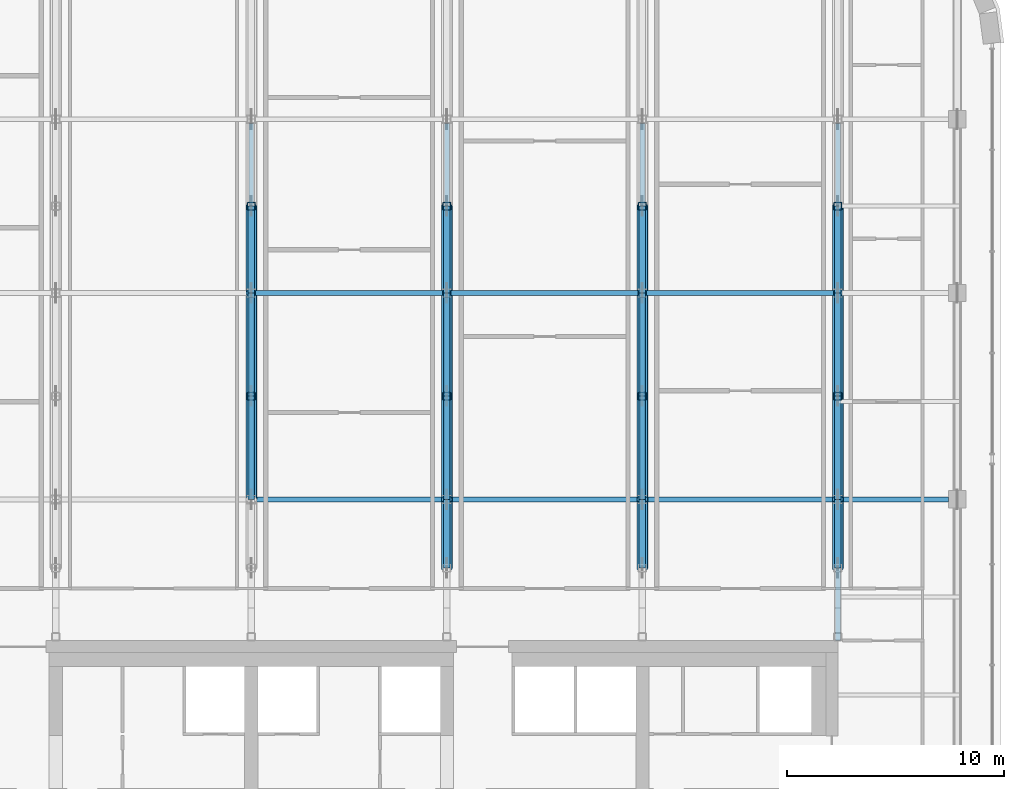
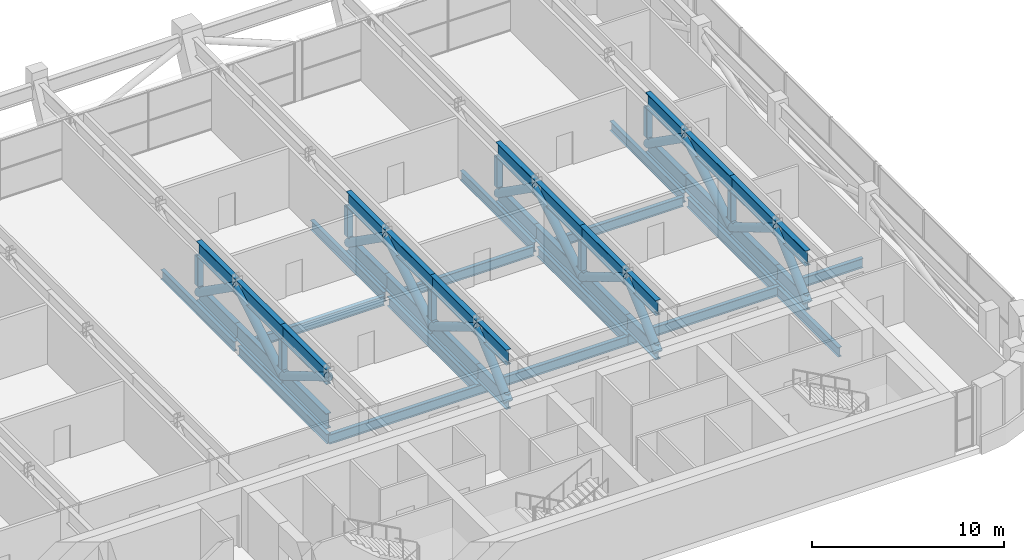
# One storey, part 8 of 28: 53 members, 13 beams.
"""IFC4 building model written with IfcOpenShell, lengths in metres."""

from ifc_helpers import new_model, si_unit, direction, frame, origin, origin_2d, place, context, subcontext, project, spatial, hollow_rectangle, hollow_circle, i_section, extrude, material, material_profile, profile_set, type_object, element, save


model = new_model("IFC4")

# Units and contexts
model_context = context("Model", 3, precision=1e-05, world=origin(), true_north=direction((0.0, 1.0)))
body_context = subcontext(model_context, "Body", "Model", "MODEL_VIEW")
ifc_project = project(units=[si_unit("LENGTHUNIT", "METRE"), si_unit("AREAUNIT", "SQUARE_METRE"), si_unit("VOLUMEUNIT", "CUBIC_METRE"), si_unit("PLANEANGLEUNIT", "RADIAN"), si_unit("MASSUNIT", "GRAM", prefix="KILO")], contexts=[model_context])

# Site, building, storey
site_placement = place(None, origin())
site = spatial("IfcSite", under=ifc_project, at=site_placement, CompositionType="ELEMENT")
building_placement = place(site_placement, origin())
building = spatial("IfcBuilding", under=site, at=building_placement, Name="Zellij Exchange Tower", CompositionType="ELEMENT")
storey_placement = place(building_placement, frame((0.0, 0.0, 268.5)))
storey = spatial("IfcBuildingStorey", under=building, at=storey_placement, Name="L63", CompositionType="ELEMENT", Elevation=268.5)

# Beams
ifc_material_1 = material(Name="Structural steel ASTM A992 Gr 50", Category="steel")
ifc_material_profile_1 = material_profile(ifc_material_1, i_section(OverallWidth=0.228271484375, OverallDepth=0.607177734375, WebThickness=0.01123046875, FlangeThickness=0.017333984375, at=origin_2d()), Name="W24x76")
ifc_profile_set_1 = profile_set([ifc_material_profile_1], Name="Structural steel ASTM A992 Gr 50")
beam_type = type_object("IfcBeamType", Name="STR-GIRDER W24x76", PredefinedType="BEAM", material=ifc_profile_set_1)
beam_1_placement = place(storey_placement, frame((0.0, 4.5, -0.653564453125), z_axis=(1.0, 0.0, 0.0), x_axis=(0.0, 1.0, 0.0)))
element("IfcBeam", 1, at=beam_1_placement, inside=storey, type_object=beam_type, Name="G2", PredefinedType="BEAM", context=body_context, shape_type="SweptSolid", body=[
    extrude(i_section(OverallWidth=0.228271484375, OverallDepth=0.607177734375, WebThickness=0.01123046875, FlangeThickness=0.017333984375, at=origin_2d()), origin(), (0.0, 0.0, 1.0), 18.0),
])
beam_2_placement = place(storey_placement, frame((18.0, 4.5, -0.653564453125), z_axis=(1.0, 0.0, 0.0), x_axis=(0.0, 1.0, 0.0)))
element("IfcBeam", 2, at=beam_2_placement, inside=storey, type_object=beam_type, Name="G2", PredefinedType="BEAM", context=body_context, shape_type="SweptSolid", body=[
    extrude(i_section(OverallWidth=0.228271484375, OverallDepth=0.607177734375, WebThickness=0.01123046875, FlangeThickness=0.017333984375, at=origin_2d()), origin(), (0.0, 0.0, 1.0), 14.10009765625),
])
for number, where, z_axis, x_axis, name in (
    (3, (0.199462890625, 14.0, -0.653564453125), (1.0, 0.0, 0.0), (0.0, 1.0, 0.0), "G2"),
    (4, (9.199462890625, 14.0, -0.653564453125), (1.0, 0.0, 0.0), (0.0, 1.0, 0.0), "G2"),
    (5, (18.199462890625, 14.0, -0.653564453125), (1.0, 0.0, 0.0), (0.0, 1.0, 0.0), "G2"),
):
    element("IfcBeam", number, at=place(storey_placement, frame(where, z_axis=z_axis, x_axis=x_axis)), inside=storey, type_object=beam_type, Name=name, PredefinedType="BEAM", context=body_context, shape_type="SweptSolid", body=[
        extrude(i_section(OverallWidth=0.228271484375, OverallDepth=0.607177734375, WebThickness=0.01123046875, FlangeThickness=0.017333984375, at=origin_2d()), origin(), (0.0, 0.0, 1.0), 8.60107421875),
    ])
beam_3_placement = place(storey_placement, frame((0.0, 4.5, -0.653564453125), z_axis=(0.0, 1.0, 0.0), x_axis=(-1.0, 0.0, 0.0)))
element("IfcBeam", 6, at=beam_3_placement, inside=storey, type_object=beam_type, Name="G2", PredefinedType="BEAM", context=body_context, shape_type="SweptSolid", body=[
    extrude(i_section(OverallWidth=0.228271484375, OverallDepth=0.607177734375, WebThickness=0.01123046875, FlangeThickness=0.017333984375, at=origin_2d()), origin(), (0.0, 0.0, 1.0), 9.306884765625),
])
beam_4_placement = place(storey_placement, frame((0.0, 14.193115234375, -0.653564453125), z_axis=(0.0, 1.0, 0.0), x_axis=(-1.0, 0.0, 0.0)))
element("IfcBeam", 7, at=beam_4_placement, inside=storey, type_object=beam_type, Name="G2", PredefinedType="BEAM", context=body_context, shape_type="SweptSolid", body=[
    extrude(i_section(OverallWidth=0.228271484375, OverallDepth=0.607177734375, WebThickness=0.01123046875, FlangeThickness=0.017333984375, at=origin_2d()), origin(), (0.0, 0.0, 1.0), 7.61376953125),
])
beam_5_placement = place(storey_placement, frame((9.0, 4.5, -0.653564453125), z_axis=(0.0, 1.0, 0.0), x_axis=(-1.0, 0.0, 0.0)))
element("IfcBeam", 8, at=beam_5_placement, inside=storey, type_object=beam_type, Name="G2", PredefinedType="BEAM", context=body_context, shape_type="SweptSolid", body=[
    extrude(i_section(OverallWidth=0.228271484375, OverallDepth=0.607177734375, WebThickness=0.01123046875, FlangeThickness=0.017333984375, at=origin_2d()), origin(), (0.0, 0.0, 1.0), 9.306884765625),
])
beam_6_placement = place(storey_placement, frame((9.0, 14.193115234375, -0.653564453125), z_axis=(0.0, 1.0, 0.0), x_axis=(-1.0, 0.0, 0.0)))
element("IfcBeam", 9, at=beam_6_placement, inside=storey, type_object=beam_type, Name="G2", PredefinedType="BEAM", context=body_context, shape_type="SweptSolid", body=[
    extrude(i_section(OverallWidth=0.228271484375, OverallDepth=0.607177734375, WebThickness=0.01123046875, FlangeThickness=0.017333984375, at=origin_2d()), origin(), (0.0, 0.0, 1.0), 7.61376953125),
])
beam_7_placement = place(storey_placement, frame((18.0, 4.5, -0.653564453125), z_axis=(0.0, 1.0, 0.0), x_axis=(-1.0, 0.0, 0.0)))
element("IfcBeam", 10, at=beam_7_placement, inside=storey, type_object=beam_type, Name="G2", PredefinedType="BEAM", context=body_context, shape_type="SweptSolid", body=[
    extrude(i_section(OverallWidth=0.228271484375, OverallDepth=0.607177734375, WebThickness=0.01123046875, FlangeThickness=0.017333984375, at=origin_2d()), origin(), (0.0, 0.0, 1.0), 9.306884765625),
])
beam_8_placement = place(storey_placement, frame((18.0, 14.193115234375, -0.653564453125), z_axis=(0.0, 1.0, 0.0), x_axis=(-1.0, 0.0, 0.0)))
element("IfcBeam", 11, at=beam_8_placement, inside=storey, type_object=beam_type, Name="G2", PredefinedType="BEAM", context=body_context, shape_type="SweptSolid", body=[
    extrude(i_section(OverallWidth=0.228271484375, OverallDepth=0.607177734375, WebThickness=0.01123046875, FlangeThickness=0.017333984375, at=origin_2d()), origin(), (0.0, 0.0, 1.0), 7.61376953125),
])
beam_9_placement = place(storey_placement, frame((27.0, -2.0, -0.653564453125), z_axis=(0.0, 1.0, 0.0), x_axis=(-1.0, 0.0, 0.0)))
element("IfcBeam", 12, at=beam_9_placement, inside=storey, type_object=beam_type, Name="G2", PredefinedType="BEAM", context=body_context, shape_type="SweptSolid", body=[
    extrude(i_section(OverallWidth=0.228271484375, OverallDepth=0.607177734375, WebThickness=0.01123046875, FlangeThickness=0.017333984375, at=origin_2d()), origin(), (0.0, 0.0, 1.0), 15.806884765625),
])
beam_10_placement = place(storey_placement, frame((27.0, 14.193115234375, -0.653564453125), z_axis=(0.0, 1.0, 0.0), x_axis=(-1.0, 0.0, 0.0)))
element("IfcBeam", 13, at=beam_10_placement, inside=storey, type_object=beam_type, Name="G2", PredefinedType="BEAM", context=body_context, shape_type="SweptSolid", body=[
    extrude(i_section(OverallWidth=0.228271484375, OverallDepth=0.607177734375, WebThickness=0.01123046875, FlangeThickness=0.017333984375, at=origin_2d()), origin(), (0.0, 0.0, 1.0), 7.61376953125),
])

# Members
ifc_material_2 = material(Name="Structural steel ASTM A913 Gr 65", Category="steel")
ifc_material_profile_2 = material_profile(ifc_material_2, i_section(OverallWidth=0.2998046875, OverallDepth=0.965087890625, WebThickness=0.01904296875, FlangeThickness=0.0361328125, at=origin_2d()), Name="W40x249")
ifc_profile_set_2 = profile_set([ifc_material_profile_2], Name="Structural steel ASTM A913 Gr 65")
member_type_1 = type_object("IfcMemberType", Name="STR-OUTRIGGER TRUSS CHORD W40x249", PredefinedType="CHORD", material=ifc_profile_set_2)
for number, where, z_axis, x_axis, name in (
    (14, (0.0, 4.5, 3.29736328125), (0.0, 1.0, 0.0), (-1.0, 0.0, 0.0), "OT1"),
    (15, (0.0, 4.5, 0.482666015625), (0.0, 1.0, 0.0), (-1.0, 0.0, 0.0), "OT1"),
    (16, (0.0, 9.25, 3.29736328125), (0.0, 1.0, 0.0), (-1.0, 0.0, 0.0), "OT1"),
    (17, (0.0, 9.25, 0.482666015625), (0.0, 1.0, 0.0), (-1.0, 0.0, 0.0), "OT1"),
):
    element("IfcMember", number, at=place(storey_placement, frame(where, z_axis=z_axis, x_axis=x_axis)), inside=storey, type_object=member_type_1, Name=name, PredefinedType="CHORD", context=body_context, shape_type="SweptSolid", body=[
        extrude(i_section(OverallWidth=0.2998046875, OverallDepth=0.965087890625, WebThickness=0.01904296875, FlangeThickness=0.0361328125, at=origin_2d()), origin(), (0.0, 0.0, 1.0), 4.75),
    ])
for number, where, z_axis, x_axis, name in (
    (18, (0.0, 14.0, 3.29736328125), (0.0, 1.0, 0.0), (-1.0, 0.0, 0.0), "OT1"),
    (19, (0.0, 14.0, 0.482666015625), (0.0, 1.0, 0.0), (-1.0, 0.0, 0.0), "OT1"),
):
    element("IfcMember", number, at=place(storey_placement, frame(where, z_axis=z_axis, x_axis=x_axis)), inside=storey, type_object=member_type_1, Name=name, PredefinedType="CHORD", context=body_context, shape_type="SweptSolid", body=[
        extrude(i_section(OverallWidth=0.2998046875, OverallDepth=0.965087890625, WebThickness=0.01904296875, FlangeThickness=0.0361328125, at=origin_2d()), origin(), (0.0, 0.0, 1.0), 4.0),
    ])
for number, where, z_axis, x_axis, name in (
    (20, (9.0, 1.339111328125, 3.29736328125), (0.0, 1.0, 0.0), (-1.0, 0.0, 0.0), "OT1"),
    (21, (9.0, 1.339111328125, 0.482666015625), (0.0, 1.0, 0.0), (-1.0, 0.0, 0.0), "OT1"),
):
    element("IfcMember", number, at=place(storey_placement, frame(where, z_axis=z_axis, x_axis=x_axis)), inside=storey, type_object=member_type_1, Name=name, PredefinedType="CHORD", context=body_context, shape_type="SweptSolid", body=[
        extrude(i_section(OverallWidth=0.2998046875, OverallDepth=0.965087890625, WebThickness=0.01904296875, FlangeThickness=0.0361328125, at=origin_2d()), origin(), (0.0, 0.0, 1.0), 3.160888671875),
    ])
for number, where, z_axis, x_axis, name in (
    (22, (9.0, 4.5, 3.29736328125), (0.0, 1.0, 0.0), (-1.0, 0.0, 0.0), "OT1"),
    (23, (9.0, 4.5, 0.482666015625), (0.0, 1.0, 0.0), (-1.0, 0.0, 0.0), "OT1"),
    (24, (9.0, 9.25, 3.29736328125), (0.0, 1.0, 0.0), (-1.0, 0.0, 0.0), "OT1"),
    (25, (9.0, 9.25, 0.482666015625), (0.0, 1.0, 0.0), (-1.0, 0.0, 0.0), "OT1"),
):
    element("IfcMember", number, at=place(storey_placement, frame(where, z_axis=z_axis, x_axis=x_axis)), inside=storey, type_object=member_type_1, Name=name, PredefinedType="CHORD", context=body_context, shape_type="SweptSolid", body=[
        extrude(i_section(OverallWidth=0.2998046875, OverallDepth=0.965087890625, WebThickness=0.01904296875, FlangeThickness=0.0361328125, at=origin_2d()), origin(), (0.0, 0.0, 1.0), 4.75),
    ])
for number, where, z_axis, x_axis, name in (
    (26, (9.0, 14.0, 3.29736328125), (0.0, 1.0, 0.0), (-1.0, 0.0, 0.0), "OT1"),
    (27, (9.0, 14.0, 0.482666015625), (0.0, 1.0, 0.0), (-1.0, 0.0, 0.0), "OT1"),
):
    element("IfcMember", number, at=place(storey_placement, frame(where, z_axis=z_axis, x_axis=x_axis)), inside=storey, type_object=member_type_1, Name=name, PredefinedType="CHORD", context=body_context, shape_type="SweptSolid", body=[
        extrude(i_section(OverallWidth=0.2998046875, OverallDepth=0.965087890625, WebThickness=0.01904296875, FlangeThickness=0.0361328125, at=origin_2d()), origin(), (0.0, 0.0, 1.0), 4.0),
    ])
for number, where, z_axis, x_axis, name in (
    (28, (18.0, 1.339111328125, 3.29736328125), (0.0, 1.0, 0.0), (-1.0, 0.0, 0.0), "OT1"),
    (29, (18.0, 1.339111328125, 0.482666015625), (0.0, 1.0, 0.0), (-1.0, 0.0, 0.0), "OT1"),
):
    element("IfcMember", number, at=place(storey_placement, frame(where, z_axis=z_axis, x_axis=x_axis)), inside=storey, type_object=member_type_1, Name=name, PredefinedType="CHORD", context=body_context, shape_type="SweptSolid", body=[
        extrude(i_section(OverallWidth=0.2998046875, OverallDepth=0.965087890625, WebThickness=0.01904296875, FlangeThickness=0.0361328125, at=origin_2d()), origin(), (0.0, 0.0, 1.0), 3.160888671875),
    ])
for number, where, z_axis, x_axis, name in (
    (30, (18.0, 4.5, 3.29736328125), (0.0, 1.0, 0.0), (-1.0, 0.0, 0.0), "OT1"),
    (31, (18.0, 4.5, 0.482666015625), (0.0, 1.0, 0.0), (-1.0, 0.0, 0.0), "OT1"),
    (32, (18.0, 9.25, 3.29736328125), (0.0, 1.0, 0.0), (-1.0, 0.0, 0.0), "OT1"),
    (33, (18.0, 9.25, 0.482666015625), (0.0, 1.0, 0.0), (-1.0, 0.0, 0.0), "OT1"),
):
    element("IfcMember", number, at=place(storey_placement, frame(where, z_axis=z_axis, x_axis=x_axis)), inside=storey, type_object=member_type_1, Name=name, PredefinedType="CHORD", context=body_context, shape_type="SweptSolid", body=[
        extrude(i_section(OverallWidth=0.2998046875, OverallDepth=0.965087890625, WebThickness=0.01904296875, FlangeThickness=0.0361328125, at=origin_2d()), origin(), (0.0, 0.0, 1.0), 4.75),
    ])
for number, where, z_axis, x_axis, name in (
    (34, (18.0, 14.0, 3.29736328125), (0.0, 1.0, 0.0), (-1.0, 0.0, 0.0), "OT1"),
    (35, (18.0, 14.0, 0.482666015625), (0.0, 1.0, 0.0), (-1.0, 0.0, 0.0), "OT1"),
):
    element("IfcMember", number, at=place(storey_placement, frame(where, z_axis=z_axis, x_axis=x_axis)), inside=storey, type_object=member_type_1, Name=name, PredefinedType="CHORD", context=body_context, shape_type="SweptSolid", body=[
        extrude(i_section(OverallWidth=0.2998046875, OverallDepth=0.965087890625, WebThickness=0.01904296875, FlangeThickness=0.0361328125, at=origin_2d()), origin(), (0.0, 0.0, 1.0), 4.0),
    ])
for number, where, z_axis, x_axis, name in (
    (36, (27.0, 1.339111328125, 3.29736328125), (0.0, 1.0, 0.0), (-1.0, 0.0, 0.0), "OT1"),
    (37, (27.0, 1.339111328125, 0.482666015625), (0.0, 1.0, 0.0), (-1.0, 0.0, 0.0), "OT1"),
):
    element("IfcMember", number, at=place(storey_placement, frame(where, z_axis=z_axis, x_axis=x_axis)), inside=storey, type_object=member_type_1, Name=name, PredefinedType="CHORD", context=body_context, shape_type="SweptSolid", body=[
        extrude(i_section(OverallWidth=0.2998046875, OverallDepth=0.965087890625, WebThickness=0.01904296875, FlangeThickness=0.0361328125, at=origin_2d()), origin(), (0.0, 0.0, 1.0), 3.160888671875),
    ])
for number, where, z_axis, x_axis, name in (
    (38, (27.0, 4.5, 3.29736328125), (0.0, 1.0, 0.0), (-1.0, 0.0, 0.0), "OT1"),
    (39, (27.0, 4.5, 0.482666015625), (0.0, 1.0, 0.0), (-1.0, 0.0, 0.0), "OT1"),
    (40, (27.0, 9.25, 3.29736328125), (0.0, 1.0, 0.0), (-1.0, 0.0, 0.0), "OT1"),
    (41, (27.0, 9.25, 0.482666015625), (0.0, 1.0, 0.0), (-1.0, 0.0, 0.0), "OT1"),
):
    element("IfcMember", number, at=place(storey_placement, frame(where, z_axis=z_axis, x_axis=x_axis)), inside=storey, type_object=member_type_1, Name=name, PredefinedType="CHORD", context=body_context, shape_type="SweptSolid", body=[
        extrude(i_section(OverallWidth=0.2998046875, OverallDepth=0.965087890625, WebThickness=0.01904296875, FlangeThickness=0.0361328125, at=origin_2d()), origin(), (0.0, 0.0, 1.0), 4.75),
    ])
for number, where, z_axis, x_axis, name in (
    (42, (27.0, 14.0, 3.29736328125), (0.0, 1.0, 0.0), (-1.0, 0.0, 0.0), "OT1"),
    (43, (27.0, 14.0, 0.482666015625), (0.0, 1.0, 0.0), (-1.0, 0.0, 0.0), "OT1"),
):
    element("IfcMember", number, at=place(storey_placement, frame(where, z_axis=z_axis, x_axis=x_axis)), inside=storey, type_object=member_type_1, Name=name, PredefinedType="CHORD", context=body_context, shape_type="SweptSolid", body=[
        extrude(i_section(OverallWidth=0.2998046875, OverallDepth=0.965087890625, WebThickness=0.01904296875, FlangeThickness=0.0361328125, at=origin_2d()), origin(), (0.0, 0.0, 1.0), 4.0),
    ])
ifc_material_3 = material(Name="Structural steel ASTM A500 Gr C", Category="steel")
ifc_material_profile_3 = material_profile(ifc_material_3, hollow_circle(Radius=0.25390625, WallThickness=0.01171875, at=origin_2d()), Name="STR-OUTRIGGER TRUSS DIAGONAL HSS20.000x0.500")
ifc_profile_set_3 = profile_set([ifc_material_profile_3], Name="Structural steel ASTM A500 Gr C")
member_type_2 = type_object("IfcMemberType", Name="STR-OUTRIGGER TRUSS DIAGONAL HSS20.000x0.500", PredefinedType="BRACE", material=ifc_profile_set_3)
for number, where, z_axis, x_axis, name in (
    (44, (0.0, 4.5, 3.29736328125), (0.0, 0.860300870846, -0.509786633428), (-1.0, 0.0, 0.0), "OT2"),
    (45, (0.0, 9.25, 0.482666015625), (0.0, 0.860300870846, 0.509786633428), (-1.0, 0.0, 0.0), "OT2"),
):
    element("IfcMember", number, at=place(storey_placement, frame(where, z_axis=z_axis, x_axis=x_axis)), inside=storey, type_object=member_type_2, Name=name, PredefinedType="BRACE", context=body_context, shape_type="SweptSolid", body=[
        extrude(hollow_circle(Radius=0.25390625, WallThickness=0.01171875, at=origin_2d()), origin(), (0.0, 0.0, 1.0), 5.521240234375),
    ])
member_1_placement = place(storey_placement, frame((0.0, 14.0, 3.29736328125), z_axis=(0.0, 0.8178177303, -0.575477332314), x_axis=(-1.0, 0.0, 0.0)))
element("IfcMember", 46, at=member_1_placement, inside=storey, type_object=member_type_2, Name="OT2", PredefinedType="BRACE", context=body_context, shape_type="SweptSolid", body=[
    extrude(hollow_circle(Radius=0.25390625, WallThickness=0.01171875, at=origin_2d()), origin(), (0.0, 0.0, 1.0), 4.89111328125),
])
member_2_placement = place(storey_placement, frame((9.0, 1.339111328125, 0.482666015625), z_axis=(0.0, 0.74682026199, 0.665025936548), x_axis=(-1.0, 0.0, 0.0)))
element("IfcMember", 47, at=member_2_placement, inside=storey, type_object=member_type_2, Name="OT2", PredefinedType="BRACE", context=body_context, shape_type="SweptSolid", body=[
    extrude(hollow_circle(Radius=0.25390625, WallThickness=0.01171875, at=origin_2d()), origin(), (0.0, 0.0, 1.0), 4.232421875),
])
for number, where, z_axis, x_axis, name in (
    (48, (9.0, 4.5, 3.29736328125), (0.0, 0.860300870846, -0.509786633428), (-1.0, 0.0, 0.0), "OT2"),
    (49, (9.0, 9.25, 0.482666015625), (0.0, 0.860300870846, 0.509786633428), (-1.0, 0.0, 0.0), "OT2"),
):
    element("IfcMember", number, at=place(storey_placement, frame(where, z_axis=z_axis, x_axis=x_axis)), inside=storey, type_object=member_type_2, Name=name, PredefinedType="BRACE", context=body_context, shape_type="SweptSolid", body=[
        extrude(hollow_circle(Radius=0.25390625, WallThickness=0.01171875, at=origin_2d()), origin(), (0.0, 0.0, 1.0), 5.521240234375),
    ])
member_3_placement = place(storey_placement, frame((9.0, 14.0, 3.29736328125), z_axis=(0.0, 0.8178177303, -0.575477332314), x_axis=(-1.0, 0.0, 0.0)))
element("IfcMember", 50, at=member_3_placement, inside=storey, type_object=member_type_2, Name="OT2", PredefinedType="BRACE", context=body_context, shape_type="SweptSolid", body=[
    extrude(hollow_circle(Radius=0.25390625, WallThickness=0.01171875, at=origin_2d()), origin(), (0.0, 0.0, 1.0), 4.89111328125),
])
member_4_placement = place(storey_placement, frame((18.0, 1.339111328125, 0.482666015625), z_axis=(0.0, 0.74682026199, 0.665025936548), x_axis=(-1.0, 0.0, 0.0)))
element("IfcMember", 51, at=member_4_placement, inside=storey, type_object=member_type_2, Name="OT2", PredefinedType="BRACE", context=body_context, shape_type="SweptSolid", body=[
    extrude(hollow_circle(Radius=0.25390625, WallThickness=0.01171875, at=origin_2d()), origin(), (0.0, 0.0, 1.0), 4.232421875),
])
for number, where, z_axis, x_axis, name in (
    (52, (18.0, 4.5, 3.29736328125), (0.0, 0.860300870846, -0.509786633428), (-1.0, 0.0, 0.0), "OT2"),
    (53, (18.0, 9.25, 0.482666015625), (0.0, 0.860300870846, 0.509786633428), (-1.0, 0.0, 0.0), "OT2"),
):
    element("IfcMember", number, at=place(storey_placement, frame(where, z_axis=z_axis, x_axis=x_axis)), inside=storey, type_object=member_type_2, Name=name, PredefinedType="BRACE", context=body_context, shape_type="SweptSolid", body=[
        extrude(hollow_circle(Radius=0.25390625, WallThickness=0.01171875, at=origin_2d()), origin(), (0.0, 0.0, 1.0), 5.521240234375),
    ])
member_5_placement = place(storey_placement, frame((18.0, 14.0, 3.29736328125), z_axis=(0.0, 0.8178177303, -0.575477332314), x_axis=(-1.0, 0.0, 0.0)))
element("IfcMember", 54, at=member_5_placement, inside=storey, type_object=member_type_2, Name="OT2", PredefinedType="BRACE", context=body_context, shape_type="SweptSolid", body=[
    extrude(hollow_circle(Radius=0.25390625, WallThickness=0.01171875, at=origin_2d()), origin(), (0.0, 0.0, 1.0), 4.89111328125),
])
member_6_placement = place(storey_placement, frame((27.0, 1.339111328125, 0.482666015625), z_axis=(0.0, 0.74682026199, 0.665025936548), x_axis=(-1.0, 0.0, 0.0)))
element("IfcMember", 55, at=member_6_placement, inside=storey, type_object=member_type_2, Name="OT2", PredefinedType="BRACE", context=body_context, shape_type="SweptSolid", body=[
    extrude(hollow_circle(Radius=0.25390625, WallThickness=0.01171875, at=origin_2d()), origin(), (0.0, 0.0, 1.0), 4.232421875),
])
for number, where, z_axis, x_axis, name in (
    (56, (27.0, 4.5, 3.29736328125), (0.0, 0.860300870846, -0.509786633428), (-1.0, 0.0, 0.0), "OT2"),
    (57, (27.0, 9.25, 0.482666015625), (0.0, 0.860300870846, 0.509786633428), (-1.0, 0.0, 0.0), "OT2"),
):
    element("IfcMember", number, at=place(storey_placement, frame(where, z_axis=z_axis, x_axis=x_axis)), inside=storey, type_object=member_type_2, Name=name, PredefinedType="BRACE", context=body_context, shape_type="SweptSolid", body=[
        extrude(hollow_circle(Radius=0.25390625, WallThickness=0.01171875, at=origin_2d()), origin(), (0.0, 0.0, 1.0), 5.521240234375),
    ])
member_7_placement = place(storey_placement, frame((27.0, 14.0, 3.29736328125), z_axis=(0.0, 0.8178177303, -0.575477332314), x_axis=(-1.0, 0.0, 0.0)))
element("IfcMember", 58, at=member_7_placement, inside=storey, type_object=member_type_2, Name="OT2", PredefinedType="BRACE", context=body_context, shape_type="SweptSolid", body=[
    extrude(hollow_circle(Radius=0.25390625, WallThickness=0.01171875, at=origin_2d()), origin(), (0.0, 0.0, 1.0), 4.89111328125),
])
ifc_material_profile_4 = material_profile(ifc_material_3, hollow_rectangle(XDim=0.355712890625, YDim=0.355712890625, WallThickness=0.01171875, InnerFilletRadius=0.01171875, OuterFilletRadius=0.023681640625, at=origin_2d()), Name="STR-OUTRIGGER TRUSS POST HSS14x14x1/2")
ifc_profile_set_4 = profile_set([ifc_material_profile_4], Name="Structural steel ASTM A500 Gr C")
member_type_3 = type_object("IfcMemberType", Name="STR-OUTRIGGER TRUSS POST HSS14x14x1/2", PredefinedType="POST", material=ifc_profile_set_4)
for number, where, z_axis, x_axis, name in (
    (59, (0.0, 9.25, 0.965087890625), (0.0, 0.0, 1.0), (1.0, 0.0, 0.0), "OT3"),
    (60, (0.0, 18.0, 0.965087890625), (0.0, 0.0, 1.0), (1.0, 0.0, 0.0), "OT3"),
    (61, (9.0, 9.25, 0.965087890625), (0.0, 0.0, 1.0), (1.0, 0.0, 0.0), "OT3"),
    (62, (9.0, 18.0, 0.965087890625), (0.0, 0.0, 1.0), (1.0, 0.0, 0.0), "OT3"),
    (63, (18.0, 9.25, 0.965087890625), (0.0, 0.0, 1.0), (1.0, 0.0, 0.0), "OT3"),
    (64, (18.0, 18.0, 0.965087890625), (0.0, 0.0, 1.0), (1.0, 0.0, 0.0), "OT3"),
    (65, (27.0, 9.25, 0.965087890625), (0.0, 0.0, 1.0), (1.0, 0.0, 0.0), "OT3"),
    (66, (27.0, 18.0, 0.965087890625), (0.0, 0.0, 1.0), (1.0, 0.0, 0.0), "OT3"),
):
    element("IfcMember", number, at=place(storey_placement, frame(where, z_axis=z_axis, x_axis=x_axis)), inside=storey, type_object=member_type_3, Name=name, PredefinedType="POST", context=body_context, shape_type="SweptSolid", body=[
        extrude(hollow_rectangle(XDim=0.355712890625, YDim=0.355712890625, WallThickness=0.01171875, InnerFilletRadius=0.01171875, OuterFilletRadius=0.023681640625, at=origin_2d()), origin(), (0.0, 0.0, 1.0), 1.849609375),
    ])

save(model, "model.ifc")
